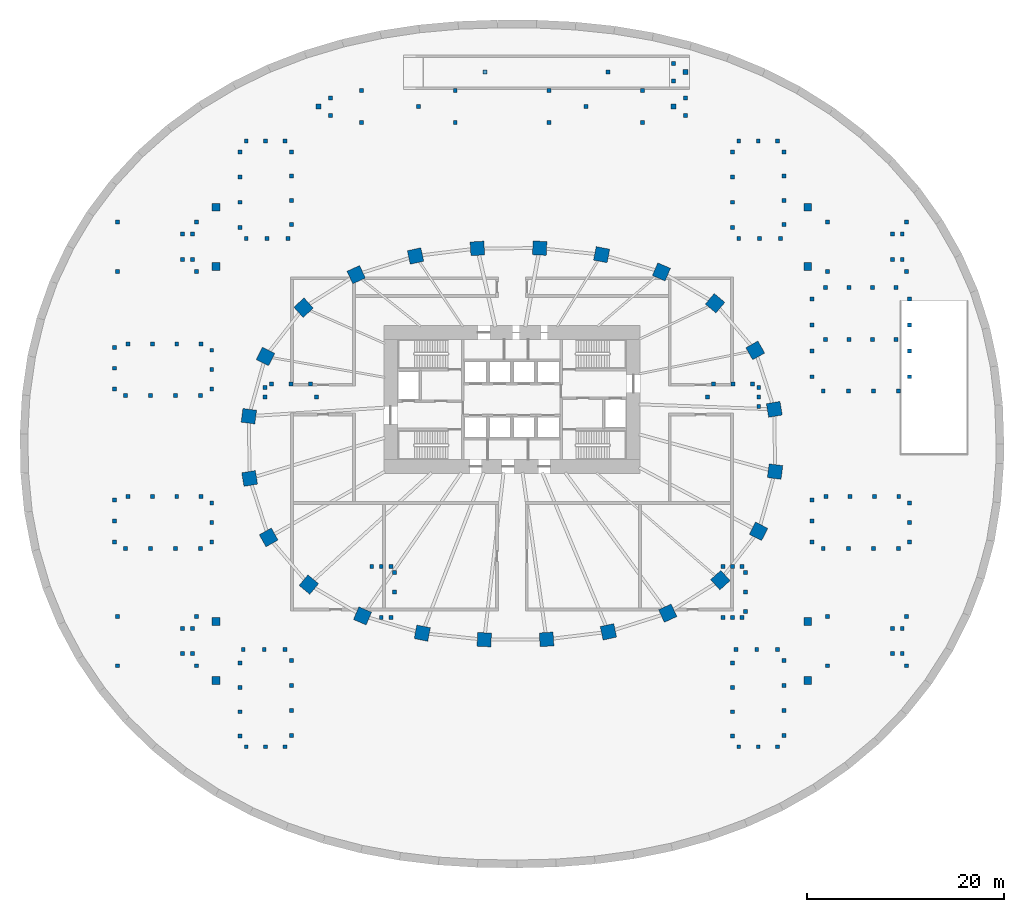
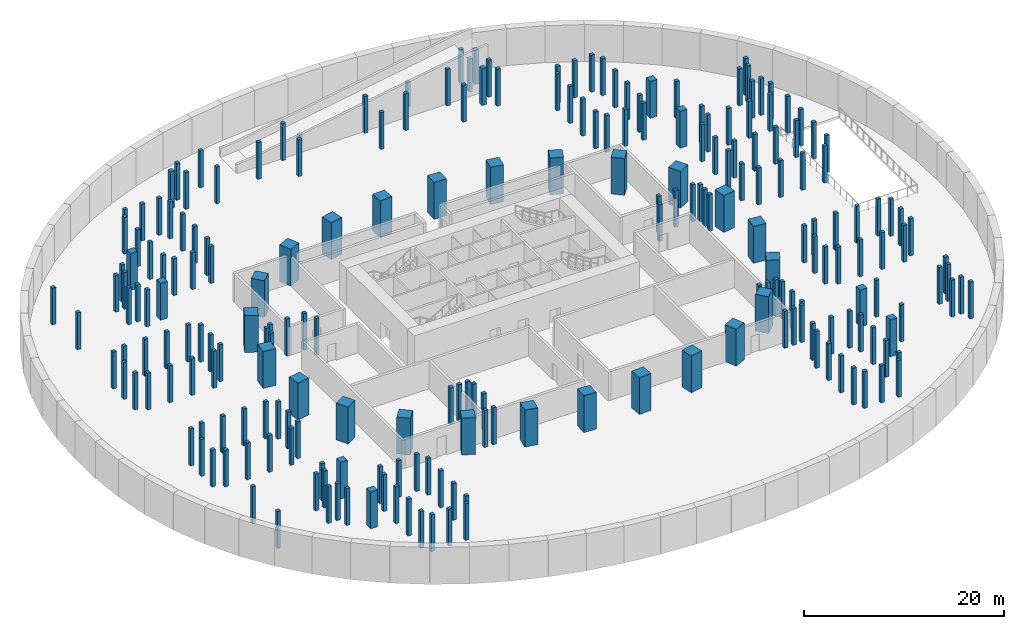
# One storey, part 1 of 9: 232 columns.
"""IFC4 building model written with IfcOpenShell, lengths in metres."""

from ifc_helpers import new_model, si_unit, direction, frame, origin, origin_2d, place, context, subcontext, project, spatial, rectangle, extrude, material, material_profile, profile_set, type_object, element, save


model = new_model("IFC4")

# Units and contexts
model_context = context("Model", 3, precision=1e-05, world=origin(), true_north=direction((0.0, 1.0)))
body_context = subcontext(model_context, "Body", "Model", "MODEL_VIEW")
ifc_project = project(units=[si_unit("LENGTHUNIT", "METRE"), si_unit("AREAUNIT", "SQUARE_METRE"), si_unit("VOLUMEUNIT", "CUBIC_METRE"), si_unit("PLANEANGLEUNIT", "RADIAN"), si_unit("MASSUNIT", "GRAM", prefix="KILO")], contexts=[model_context])

# Site, building, storey
site_placement = place(None, origin())
site = spatial("IfcSite", under=ifc_project, at=site_placement, CompositionType="ELEMENT")
building_placement = place(site_placement, origin())
building = spatial("IfcBuilding", under=site, at=building_placement, Name="Rubra Terraces Tower", CompositionType="ELEMENT")
storey_placement = place(building_placement, frame((0.0, 0.0, -10.5)))
storey = spatial("IfcBuildingStorey", under=building, at=storey_placement, Name="B2", CompositionType="ELEMENT", Elevation=-10.5)

# Columns
ifc_material_1 = material(Name="Concrete C50", Category="concrete")
ifc_material_profile_1 = material_profile(ifc_material_1, rectangle(XDim=0.800048828125, YDim=0.800048828125, at=origin_2d()), Name="RC 800x800")
ifc_profile_set_1 = profile_set([ifc_material_profile_1], Name="Concrete C50")
column_type_1 = type_object("IfcColumnType", Name="BASEMENT COLUMN RC 800x800 C50", PredefinedType="COLUMN", material=ifc_profile_set_1)
for number, where, z_axis, x_axis, name in (
    (1, (-30.0, -24.0, 0.0), (0.0, 0.0, 1.0), (1.0, 0.0, 0.0), "column-B2-grid-001"),
    (2, (-30.0, -18.0, 0.0), (0.0, 0.0, 1.0), (1.0, 0.0, 0.0), "column-B2-grid-002"),
    (3, (-30.0, 18.0, 0.0), (0.0, 0.0, 1.0), (1.0, 0.0, 0.0), "column-B2-grid-003"),
    (4, (-30.0, 24.0, 0.0), (0.0, 0.0, 1.0), (1.0, 0.0, 0.0), "column-B2-grid-004"),
    (5, (30.0, -24.0, 0.0), (0.0, 0.0, 1.0), (1.0, 0.0, 0.0), "column-B2-grid-005"),
    (6, (30.0, -18.0, 0.0), (0.0, 0.0, 1.0), (1.0, 0.0, 0.0), "column-B2-grid-006"),
    (7, (30.0, 18.0, 0.0), (0.0, 0.0, 1.0), (1.0, 0.0, 0.0), "column-B2-grid-007"),
    (8, (30.0, 24.0, 0.0), (0.0, 0.0, 1.0), (1.0, 0.0, 0.0), "column-B2-grid-008"),
):
    element("IfcColumn", number, at=place(storey_placement, frame(where, z_axis=z_axis, x_axis=x_axis)), inside=storey, type_object=column_type_1, Name=name, PredefinedType="COLUMN", context=body_context, shape_type="SweptSolid", body=[
        extrude(rectangle(XDim=0.800048828125, YDim=0.800048828125, at=origin_2d()), origin(), (0.0, 0.0, 1.0), 4.5),
    ])
ifc_material_2 = material(Name="Concrete C40/50", Category="concrete")
ifc_material_profile_2 = material_profile(ifc_material_2, rectangle(XDim=0.39990234375, YDim=0.39990234375, at=origin_2d()), Name="RC 400x400")
ifc_profile_set_2 = profile_set([ifc_material_profile_2], Name="Concrete C40/50")
column_type_2 = type_object("IfcColumnType", Name="Pavilion column RC 400 x 400", PredefinedType="COLUMN", material=ifc_profile_set_2)
for number, where, z_axis, x_axis, name in (
    (9, (32.0, 17.5, 0.0), (0.0, 0.0, 1.0), (1.0, 0.0, 0.0), "Pavilion SP1 column 1"),
    (10, (40.0, 17.5, 0.0), (0.0, 0.0, 1.0), (1.0, 0.0, 0.0), "Pavilion SP1 column 2"),
    (11, (40.0, 22.5, 0.0), (0.0, 0.0, 1.0), (1.0, 0.0, 0.0), "Pavilion SP1 column 3"),
    (12, (32.0, 22.5, 0.0), (0.0, 0.0, 1.0), (1.0, 0.0, 0.0), "Pavilion SP1 column 4"),
    (13, (38.580078125, 18.72509765625, 0.0), (0.0, 0.0, 1.0), (1.0, 0.0, 0.0), "Pavilion SP1 landing column 1"),
    (14, (39.580078125, 18.72509765625, 0.0), (0.0, 0.0, 1.0), (1.0, 0.0, 0.0), "Pavilion SP1 landing column 2"),
    (15, (39.580078125, 21.27490234375, 0.0), (0.0, 0.0, 1.0), (1.0, 0.0, 0.0), "Pavilion SP1 landing column 3"),
    (16, (38.580078125, 21.27490234375, 0.0), (0.0, 0.0, 1.0), (1.0, 0.0, 0.0), "Pavilion SP1 landing column 4"),
    (17, (-40.0, 17.5, 0.0), (0.0, 0.0, 1.0), (1.0, 0.0, 0.0), "Pavilion SP2 column 1"),
    (18, (-32.0, 17.5, 0.0), (0.0, 0.0, 1.0), (1.0, 0.0, 0.0), "Pavilion SP2 column 2"),
    (19, (-32.0, 22.5, 0.0), (0.0, 0.0, 1.0), (1.0, 0.0, 0.0), "Pavilion SP2 column 3"),
    (20, (-40.0, 22.5, 0.0), (0.0, 0.0, 1.0), (1.0, 0.0, 0.0), "Pavilion SP2 column 4"),
    (21, (-33.419921875, 18.72509765625, 0.0), (0.0, 0.0, 1.0), (1.0, 0.0, 0.0), "Pavilion SP2 landing column 1"),
    (22, (-32.419921875, 18.72509765625, 0.0), (0.0, 0.0, 1.0), (1.0, 0.0, 0.0), "Pavilion SP2 landing column 2"),
    (23, (-32.419921875, 21.27490234375, 0.0), (0.0, 0.0, 1.0), (1.0, 0.0, 0.0), "Pavilion SP2 landing column 3"),
    (24, (-33.419921875, 21.27490234375, 0.0), (0.0, 0.0, 1.0), (1.0, 0.0, 0.0), "Pavilion SP2 landing column 4"),
    (25, (-40.0, -22.5, 0.0), (0.0, 0.0, 1.0), (1.0, 0.0, 0.0), "Pavilion SP3 column 1"),
    (26, (-32.0, -22.5, 0.0), (0.0, 0.0, 1.0), (1.0, 0.0, 0.0), "Pavilion SP3 column 2"),
    (27, (-32.0, -17.5, 0.0), (0.0, 0.0, 1.0), (1.0, 0.0, 0.0), "Pavilion SP3 column 3"),
    (28, (-40.0, -17.5, 0.0), (0.0, 0.0, 1.0), (1.0, 0.0, 0.0), "Pavilion SP3 column 4"),
    (29, (-33.419921875, -21.27490234375, 0.0), (0.0, 0.0, 1.0), (1.0, 0.0, 0.0), "Pavilion SP3 landing column 1"),
    (30, (-32.419921875, -21.27490234375, 0.0), (0.0, 0.0, 1.0), (1.0, 0.0, 0.0), "Pavilion SP3 landing column 2"),
    (31, (-32.419921875, -18.72509765625, 0.0), (0.0, 0.0, 1.0), (1.0, 0.0, 0.0), "Pavilion SP3 landing column 3"),
    (32, (-33.419921875, -18.72509765625, 0.0), (0.0, 0.0, 1.0), (1.0, 0.0, 0.0), "Pavilion SP3 landing column 4"),
    (33, (32.0, -22.5, 0.0), (0.0, 0.0, 1.0), (1.0, 0.0, 0.0), "Pavilion SP4 column 1"),
    (34, (40.0, -22.5, 0.0), (0.0, 0.0, 1.0), (1.0, 0.0, 0.0), "Pavilion SP4 column 2"),
    (35, (40.0, -17.5, 0.0), (0.0, 0.0, 1.0), (1.0, 0.0, 0.0), "Pavilion SP4 column 3"),
    (36, (32.0, -17.5, 0.0), (0.0, 0.0, 1.0), (1.0, 0.0, 0.0), "Pavilion SP4 column 4"),
    (37, (38.580078125, -21.27490234375, 0.0), (0.0, 0.0, 1.0), (1.0, 0.0, 0.0), "Pavilion SP4 landing column 1"),
    (38, (39.580078125, -21.27490234375, 0.0), (0.0, 0.0, 1.0), (1.0, 0.0, 0.0), "Pavilion SP4 landing column 2"),
    (39, (39.580078125, -18.72509765625, 0.0), (0.0, 0.0, 1.0), (1.0, 0.0, 0.0), "Pavilion SP4 landing column 3"),
    (40, (38.580078125, -18.72509765625, 0.0), (0.0, 0.0, 1.0), (1.0, 0.0, 0.0), "Pavilion SP4 landing column 4"),
):
    element("IfcColumn", number, at=place(storey_placement, frame(where, z_axis=z_axis, x_axis=x_axis)), inside=storey, type_object=column_type_2, Name=name, PredefinedType="COLUMN", context=body_context, shape_type="SweptSolid", body=[
        extrude(rectangle(XDim=0.39990234375, YDim=0.39990234375, at=origin_2d()), origin(), (0.0, 0.0, 1.0), 4.5),
    ])
ifc_material_3 = material(Name="Concrete C60", Category="concrete")
ifc_material_profile_3 = material_profile(ifc_material_3, rectangle(XDim=1.39990234375, YDim=1.39990234375, at=origin_2d()), Name="RC 1400x1400")
ifc_profile_set_3 = profile_set([ifc_material_profile_3], Name="Concrete C60")
column_type_3 = type_object("IfcColumnType", Name="RING COLUMN RC 1400x1400 C60", PredefinedType="COLUMN", material=ifc_profile_set_3)
for number, where, z_axis, x_axis, name in (
    (41, (26.60498046875, 3.5029296875, 0.0), (0.0, 0.0, 1.0), (-0.161234051287, 0.986916197408, 0.0), "column-B2-ring-01"),
    (42, (24.676025390625, 9.48291015625, 0.0), (0.0, 0.0, 1.0), (-0.487226597714, 0.873275582208, 0.0), "column-B2-ring-02"),
    (43, (20.60009765625, 14.26611328125, 0.0), (0.0, 0.0, 1.0), (-0.767209547574, 0.641396531104, 0.0), "column-B2-ring-03"),
    (44, (15.156982421875, 17.44091796875, 0.0), (0.0, 0.0, 1.0), (-0.919293738002, 0.393572132232, 0.0), "column-B2-ring-04"),
    (45, (9.093994140625, 19.19189453125, 0.0), (0.0, 0.0, 1.0), (-0.981430410798, 0.191818530806, 0.0), "column-B2-ring-05"),
    (46, (2.81103515625, 19.85400390625, 0.0), (0.0, 0.0, 1.0), (-0.99874501614, 0.050083857035, 0.0), "column-B2-ring-06"),
    (47, (-3.509033203125, 19.823974609375, 0.0), (0.0, 0.0, 1.0), (-0.9980076013, -0.063093801177, 0.0), "column-B2-ring-07"),
    (48, (-9.780029296875, 19.05810546875, 0.0), (0.0, 0.0, 1.0), (-0.977386186482, -0.211462153764, 0.0), "column-B2-ring-08"),
    (49, (-15.799072265625, 17.1650390625, 0.0), (0.0, 0.0, 1.0), (-0.907952363445, -0.419073389413, 0.0), "column-B2-ring-09"),
    (50, (-21.135009765625, 13.81689453125, 0.0), (0.0, 0.0, 1.0), (-0.742675944539, -0.66965098477, 0.0), "column-B2-ring-10"),
    (51, (-25.0029296875, 8.865966796875, 0.0), (0.0, 0.0, 1.0), (-0.450098906028, -0.892978709036, 0.0), "column-B2-ring-11"),
    (52, (-26.68408203125, 2.80810546875, 0.0), (0.0, 0.0, 1.0), (-0.128444510405, -0.991716697322, 0.0), "column-B2-ring-12"),
    (53, (-26.60498046875, -3.5029296875, 0.0), (0.0, 0.0, 1.0), (0.161234051287, -0.986916197408, 0.0), "column-B2-ring-13"),
    (54, (-24.676025390625, -9.48291015625, 0.0), (0.0, 0.0, 1.0), (0.487226597714, -0.873275582208, 0.0), "column-B2-ring-14"),
    (55, (-20.60009765625, -14.26611328125, 0.0), (0.0, 0.0, 1.0), (0.767209547574, -0.641396531104, 0.0), "column-B2-ring-15"),
    (56, (-15.156982421875, -17.44091796875, 0.0), (0.0, 0.0, 1.0), (0.919293738002, -0.393572132232, 0.0), "column-B2-ring-16"),
    (57, (-9.093994140625, -19.19189453125, 0.0), (0.0, 0.0, 1.0), (0.981430410798, -0.191818530806, 0.0), "column-B2-ring-17"),
    (58, (-2.81103515625, -19.85400390625, 0.0), (0.0, 0.0, 1.0), (0.99874501614, -0.050083857035, 0.0), "column-B2-ring-18"),
    (59, (3.509033203125, -19.823974609375, 0.0), (0.0, 0.0, 1.0), (0.9980076013, 0.063093801177, 0.0), "column-B2-ring-19"),
    (60, (9.780029296875, -19.05810546875, 0.0), (0.0, 0.0, 1.0), (0.977386186482, 0.211462153764, 0.0), "column-B2-ring-20"),
    (61, (15.799072265625, -17.1650390625, 0.0), (0.0, 0.0, 1.0), (0.907952363445, 0.419073389413, 0.0), "column-B2-ring-21"),
    (62, (21.135009765625, -13.81689453125, 0.0), (0.0, 0.0, 1.0), (0.742675944539, 0.66965098477, 0.0), "column-B2-ring-22"),
    (63, (25.0029296875, -8.865966796875, 0.0), (0.0, 0.0, 1.0), (0.450098906028, 0.892978709036, 0.0), "column-B2-ring-23"),
    (64, (26.68408203125, -2.80810546875, 0.0), (0.0, 0.0, 1.0), (0.128444510405, 0.991716697322, 0.0), "column-B2-ring-24"),
):
    element("IfcColumn", number, at=place(storey_placement, frame(where, z_axis=z_axis, x_axis=x_axis)), inside=storey, type_object=column_type_3, Name=name, PredefinedType="COLUMN", context=body_context, shape_type="SweptSolid", body=[
        extrude(rectangle(XDim=1.39990234375, YDim=1.39990234375, at=origin_2d()), origin(), (0.0, 0.0, 1.0), 4.5),
    ])
ifc_material_profile_4 = material_profile(ifc_material_1, rectangle(XDim=0.39990234375, YDim=0.39990234375, at=origin_2d()), Name="RC 400x400")
ifc_profile_set_4 = profile_set([ifc_material_profile_4], Name="Concrete C50")
column_type_4 = type_object("IfcColumnType", Name="STAIR SUPPORT COLUMN RC 400x400 C50", PredefinedType="COLUMN", material=ifc_profile_set_4)
for number, where, z_axis, x_axis, name in (
    (65, (-20.449951171875, 6.0849609375, 0.0), (0.0, 0.0, 1.0), (1.0, 0.0, 0.0), "column-B2-ps-support-01"),
    (66, (-24.39990234375, 6.0849609375, 0.0), (0.0, 0.0, 1.0), (1.0, 0.0, 0.0), "column-B2-ps-support-02"),
    (67, (-22.425048828125, 6.0849609375, 0.0), (0.0, 0.0, 1.0), (1.0, 0.0, 0.0), "column-B2-ps-support-03"),
    (68, (-25.02490234375, 5.7099609375, 0.0), (0.0, 0.0, 1.0), (1.0, 0.0, 0.0), "column-B2-ps-support-04"),
    (69, (-25.02490234375, 4.7451171875, 0.0), (0.0, 0.0, 1.0), (1.0, 0.0, 0.0), "column-B2-ps-support-05"),
    (70, (-19.824951171875, 4.7451171875, 0.0), (0.0, 0.0, 1.0), (1.0, 0.0, 0.0), "column-B2-ps-support-06"),
    (71, (24.39990234375, 6.0849609375, 0.0), (0.0, 0.0, 1.0), (1.0, 0.0, 0.0), "column-B2-ps-support-07"),
    (72, (20.449951171875, 6.0849609375, 0.0), (0.0, 0.0, 1.0), (1.0, 0.0, 0.0), "column-B2-ps-support-08"),
    (73, (22.425048828125, 6.0849609375, 0.0), (0.0, 0.0, 1.0), (1.0, 0.0, 0.0), "column-B2-ps-support-09"),
    (74, (19.824951171875, 4.7451171875, 0.0), (0.0, 0.0, 1.0), (1.0, 0.0, 0.0), "column-B2-ps-support-10"),
    (75, (25.02490234375, 3.780029296875, 0.0), (0.0, 0.0, 1.0), (1.0, 0.0, 0.0), "column-B2-ps-support-11"),
    (76, (25.02490234375, 5.7099609375, 0.0), (0.0, 0.0, 1.0), (1.0, 0.0, 0.0), "column-B2-ps-support-12"),
    (77, (25.02490234375, 4.7451171875, 0.0), (0.0, 0.0, 1.0), (1.0, 0.0, 0.0), "column-B2-ps-support-13"),
    (78, (-11.9150390625, -13.050048828125, 0.0), (0.0, 0.0, 1.0), (1.0, 0.0, 0.0), "column-B2-ps-support-14"),
    (79, (-11.9150390625, -15.02490234375, 0.0), (0.0, 0.0, 1.0), (1.0, 0.0, 0.0), "column-B2-ps-support-15"),
    (80, (-12.2900390625, -17.625, 0.0), (0.0, 0.0, 1.0), (1.0, 0.0, 0.0), "column-B2-ps-support-16"),
    (81, (-13.2548828125, -17.625, 0.0), (0.0, 0.0, 1.0), (1.0, 0.0, 0.0), "column-B2-ps-support-17"),
    (82, (-14.219970703125, -12.425048828125, 0.0), (0.0, 0.0, 1.0), (1.0, 0.0, 0.0), "column-B2-ps-support-18"),
    (83, (-12.2900390625, -12.425048828125, 0.0), (0.0, 0.0, 1.0), (1.0, 0.0, 0.0), "column-B2-ps-support-19"),
    (84, (-13.2548828125, -12.425048828125, 0.0), (0.0, 0.0, 1.0), (1.0, 0.0, 0.0), "column-B2-ps-support-20"),
    (85, (23.68505859375, -17.0, 0.0), (0.0, 0.0, 1.0), (1.0, 0.0, 0.0), "column-B2-ps-support-21"),
    (86, (23.68505859375, -13.050048828125, 0.0), (0.0, 0.0, 1.0), (1.0, 0.0, 0.0), "column-B2-ps-support-22"),
    (87, (23.68505859375, -15.02490234375, 0.0), (0.0, 0.0, 1.0), (1.0, 0.0, 0.0), "column-B2-ps-support-23"),
    (88, (21.3798828125, -17.625, 0.0), (0.0, 0.0, 1.0), (1.0, 0.0, 0.0), "column-B2-ps-support-24"),
    (89, (23.31005859375, -17.625, 0.0), (0.0, 0.0, 1.0), (1.0, 0.0, 0.0), "column-B2-ps-support-25"),
    (90, (22.344970703125, -17.625, 0.0), (0.0, 0.0, 1.0), (1.0, 0.0, 0.0), "column-B2-ps-support-26"),
    (91, (21.3798828125, -12.425048828125, 0.0), (0.0, 0.0, 1.0), (1.0, 0.0, 0.0), "column-B2-ps-support-27"),
    (92, (23.31005859375, -12.425048828125, 0.0), (0.0, 0.0, 1.0), (1.0, 0.0, 0.0), "column-B2-ps-support-28"),
    (93, (22.344970703125, -12.425048828125, 0.0), (0.0, 0.0, 1.0), (1.0, 0.0, 0.0), "column-B2-ps-support-29"),
    (94, (13.25, 35.824951171875, 0.0), (0.0, 0.0, 1.0), (1.0, 0.0, 0.0), "column-B2-rp3w-support-01"),
    (95, (3.75, 35.824951171875, 0.0), (0.0, 0.0, 1.0), (1.0, 0.0, 0.0), "column-B2-rp3w-support-02"),
    (96, (-5.75, 35.824951171875, 0.0), (0.0, 0.0, 1.0), (1.0, 0.0, 0.0), "column-B2-rp3w-support-03"),
    (97, (-15.25, 35.824951171875, 0.0), (0.0, 0.0, 1.0), (1.0, 0.0, 0.0), "column-B2-rp3w-support-04"),
    (98, (13.25, 32.574951171875, 0.0), (0.0, 0.0, 1.0), (1.0, 0.0, 0.0), "column-B2-rp3w-support-05"),
    (99, (3.75, 32.574951171875, 0.0), (0.0, 0.0, 1.0), (1.0, 0.0, 0.0), "column-B2-rp3w-support-06"),
    (100, (-5.75, 32.574951171875, 0.0), (0.0, 0.0, 1.0), (1.0, 0.0, 0.0), "column-B2-rp3w-support-07"),
    (101, (-15.25, 32.574951171875, 0.0), (0.0, 0.0, 1.0), (1.0, 0.0, 0.0), "column-B2-rp3w-support-08"),
    (102, (17.60009765625, 35.10009765625, 0.0), (0.0, 0.0, 1.0), (1.0, 0.0, 0.0), "column-B2-rp3-support-01"),
    (103, (17.60009765625, 33.300048828125, 0.0), (0.0, 0.0, 1.0), (1.0, 0.0, 0.0), "column-B2-rp3-support-02"),
    (104, (7.5, 34.199951171875, 0.0), (0.0, 0.0, 1.0), (1.0, 0.0, 0.0), "column-B2-rp3-support-04"),
    (105, (-9.5, 34.199951171875, 0.0), (0.0, 0.0, 1.0), (1.0, 0.0, 0.0), "column-B2-rp3-support-05"),
    (106, (-18.39990234375, 35.10009765625, 0.0), (0.0, 0.0, 1.0), (1.0, 0.0, 0.0), "column-B2-rp3-support-06"),
    (107, (-18.39990234375, 33.300048828125, 0.0), (0.0, 0.0, 1.0), (1.0, 0.0, 0.0), "column-B2-rp3-support-07"),
    (108, (27.60009765625, -29.590087890625, 0.0), (0.0, 0.0, 1.0), (1.0, 0.0, 0.0), "column-B2-se-support-01"),
    (109, (27.60009765625, -27.050048828125, 0.0), (0.0, 0.0, 1.0), (1.0, 0.0, 0.0), "column-B2-se-support-02"),
    (110, (27.60009765625, -24.510009765625, 0.0), (0.0, 0.0, 1.0), (1.0, 0.0, 0.0), "column-B2-se-support-03"),
    (111, (27.60009765625, -21.969970703125, 0.0), (0.0, 0.0, 1.0), (1.0, 0.0, 0.0), "column-B2-se-support-04"),
    (112, (26.949951171875, -20.85009765625, 0.0), (0.0, 0.0, 1.0), (1.0, 0.0, 0.0), "column-B2-se-support-05"),
    (113, (22.699951171875, -20.85009765625, 0.0), (0.0, 0.0, 1.0), (1.0, 0.0, 0.0), "column-B2-se-support-06"),
    (114, (24.824951171875, -20.85009765625, 0.0), (0.0, 0.0, 1.0), (1.0, 0.0, 0.0), "column-B2-se-support-07"),
    (115, (22.35009765625, -22.23291015625, 0.0), (0.0, 0.0, 1.0), (1.0, 0.0, 0.0), "column-B2-se-support-08"),
    (116, (22.35009765625, -24.697021484375, 0.0), (0.0, 0.0, 1.0), (1.0, 0.0, 0.0), "column-B2-se-support-09"),
    (117, (22.35009765625, -27.1630859375, 0.0), (0.0, 0.0, 1.0), (1.0, 0.0, 0.0), "column-B2-se-support-10"),
    (118, (22.35009765625, -29.626953125, 0.0), (0.0, 0.0, 1.0), (1.0, 0.0, 0.0), "column-B2-se-support-11"),
    (119, (-22.35009765625, -29.590087890625, 0.0), (0.0, 0.0, 1.0), (1.0, 0.0, 0.0), "column-B2-se-support-12"),
    (120, (-22.35009765625, -27.050048828125, 0.0), (0.0, 0.0, 1.0), (1.0, 0.0, 0.0), "column-B2-se-support-13"),
    (121, (-22.35009765625, -24.510009765625, 0.0), (0.0, 0.0, 1.0), (1.0, 0.0, 0.0), "column-B2-se-support-14"),
    (122, (-22.35009765625, -21.969970703125, 0.0), (0.0, 0.0, 1.0), (1.0, 0.0, 0.0), "column-B2-se-support-15"),
    (123, (-23.0, -20.85009765625, 0.0), (0.0, 0.0, 1.0), (1.0, 0.0, 0.0), "column-B2-se-support-16"),
    (124, (-27.25, -20.85009765625, 0.0), (0.0, 0.0, 1.0), (1.0, 0.0, 0.0), "column-B2-se-support-17"),
    (125, (-25.125, -20.85009765625, 0.0), (0.0, 0.0, 1.0), (1.0, 0.0, 0.0), "column-B2-se-support-18"),
    (126, (-27.60009765625, -22.23291015625, 0.0), (0.0, 0.0, 1.0), (1.0, 0.0, 0.0), "column-B2-se-support-19"),
    (127, (-27.60009765625, -24.697021484375, 0.0), (0.0, 0.0, 1.0), (1.0, 0.0, 0.0), "column-B2-se-support-20"),
    (128, (-27.60009765625, -27.1630859375, 0.0), (0.0, 0.0, 1.0), (1.0, 0.0, 0.0), "column-B2-se-support-21"),
    (129, (-27.60009765625, -29.626953125, 0.0), (0.0, 0.0, 1.0), (1.0, 0.0, 0.0), "column-B2-se-support-22"),
    (130, (-27.60009765625, 29.590087890625, 0.0), (0.0, 0.0, 1.0), (1.0, 0.0, 0.0), "column-B2-se-support-23"),
    (131, (-27.60009765625, 27.050048828125, 0.0), (0.0, 0.0, 1.0), (1.0, 0.0, 0.0), "column-B2-se-support-24"),
    (132, (-27.60009765625, 24.510009765625, 0.0), (0.0, 0.0, 1.0), (1.0, 0.0, 0.0), "column-B2-se-support-25"),
    (133, (-27.60009765625, 21.969970703125, 0.0), (0.0, 0.0, 1.0), (1.0, 0.0, 0.0), "column-B2-se-support-26"),
    (134, (-26.949951171875, 20.85009765625, 0.0), (0.0, 0.0, 1.0), (1.0, 0.0, 0.0), "column-B2-se-support-27"),
    (135, (-22.699951171875, 20.85009765625, 0.0), (0.0, 0.0, 1.0), (1.0, 0.0, 0.0), "column-B2-se-support-28"),
    (136, (-24.824951171875, 20.85009765625, 0.0), (0.0, 0.0, 1.0), (1.0, 0.0, 0.0), "column-B2-se-support-29"),
    (137, (-22.35009765625, 22.23291015625, 0.0), (0.0, 0.0, 1.0), (1.0, 0.0, 0.0), "column-B2-se-support-30"),
    (138, (-22.35009765625, 24.697021484375, 0.0), (0.0, 0.0, 1.0), (1.0, 0.0, 0.0), "column-B2-se-support-31"),
    (139, (-22.35009765625, 27.1630859375, 0.0), (0.0, 0.0, 1.0), (1.0, 0.0, 0.0), "column-B2-se-support-32"),
    (140, (-22.35009765625, 29.626953125, 0.0), (0.0, 0.0, 1.0), (1.0, 0.0, 0.0), "column-B2-se-support-33"),
    (141, (22.35009765625, 29.590087890625, 0.0), (0.0, 0.0, 1.0), (1.0, 0.0, 0.0), "column-B2-se-support-34"),
    (142, (22.35009765625, 27.050048828125, 0.0), (0.0, 0.0, 1.0), (1.0, 0.0, 0.0), "column-B2-se-support-35"),
    (143, (22.35009765625, 24.510009765625, 0.0), (0.0, 0.0, 1.0), (1.0, 0.0, 0.0), "column-B2-se-support-36"),
    (144, (22.35009765625, 21.969970703125, 0.0), (0.0, 0.0, 1.0), (1.0, 0.0, 0.0), "column-B2-se-support-37"),
    (145, (23.0, 20.85009765625, 0.0), (0.0, 0.0, 1.0), (1.0, 0.0, 0.0), "column-B2-se-support-38"),
    (146, (27.25, 20.85009765625, 0.0), (0.0, 0.0, 1.0), (1.0, 0.0, 0.0), "column-B2-se-support-39"),
    (147, (25.125, 20.85009765625, 0.0), (0.0, 0.0, 1.0), (1.0, 0.0, 0.0), "column-B2-se-support-40"),
    (148, (27.60009765625, 22.23291015625, 0.0), (0.0, 0.0, 1.0), (1.0, 0.0, 0.0), "column-B2-se-support-41"),
    (149, (27.60009765625, 24.697021484375, 0.0), (0.0, 0.0, 1.0), (1.0, 0.0, 0.0), "column-B2-se-support-42"),
    (150, (27.60009765625, 27.1630859375, 0.0), (0.0, 0.0, 1.0), (1.0, 0.0, 0.0), "column-B2-se-support-43"),
    (151, (27.60009765625, 29.626953125, 0.0), (0.0, 0.0, 1.0), (1.0, 0.0, 0.0), "column-B2-se-support-44"),
    (152, (39.18994140625, 5.35009765625, 0.0), (0.0, 0.0, 1.0), (1.0, 0.0, 0.0), "column-B2-se-support-45"),
    (153, (36.64990234375, 5.35009765625, 0.0), (0.0, 0.0, 1.0), (1.0, 0.0, 0.0), "column-B2-se-support-46"),
    (154, (34.110107421875, 5.35009765625, 0.0), (0.0, 0.0, 1.0), (1.0, 0.0, 0.0), "column-B2-se-support-47"),
    (155, (31.570068359375, 5.35009765625, 0.0), (0.0, 0.0, 1.0), (1.0, 0.0, 0.0), "column-B2-se-support-48"),
    (156, (30.449951171875, 6.81201171875, 0.0), (0.0, 0.0, 1.0), (1.0, 0.0, 0.0), "column-B2-se-support-49"),
    (157, (30.449951171875, 9.43798828125, 0.0), (0.0, 0.0, 1.0), (1.0, 0.0, 0.0), "column-B2-se-support-50"),
    (158, (30.449951171875, 12.06201171875, 0.0), (0.0, 0.0, 1.0), (1.0, 0.0, 0.0), "column-B2-se-support-51"),
    (159, (30.449951171875, 14.68798828125, 0.0), (0.0, 0.0, 1.0), (1.0, 0.0, 0.0), "column-B2-se-support-52"),
    (160, (31.794921875, 10.60009765625, 0.0), (0.0, 0.0, 1.0), (1.0, 0.0, 0.0), "column-B2-se-support-53"),
    (161, (34.18505859375, 10.60009765625, 0.0), (0.0, 0.0, 1.0), (1.0, 0.0, 0.0), "column-B2-se-support-54"),
    (162, (36.574951171875, 10.60009765625, 0.0), (0.0, 0.0, 1.0), (1.0, 0.0, 0.0), "column-B2-se-support-55"),
    (163, (38.965087890625, 10.60009765625, 0.0), (0.0, 0.0, 1.0), (1.0, 0.0, 0.0), "column-B2-se-support-56"),
    (164, (40.31005859375, 14.68798828125, 0.0), (0.0, 0.0, 1.0), (1.0, 0.0, 0.0), "column-B2-se-support-57"),
    (165, (40.31005859375, 12.06201171875, 0.0), (0.0, 0.0, 1.0), (1.0, 0.0, 0.0), "column-B2-se-support-58"),
    (166, (40.31005859375, 9.43798828125, 0.0), (0.0, 0.0, 1.0), (1.0, 0.0, 0.0), "column-B2-se-support-59"),
    (167, (40.31005859375, 6.81201171875, 0.0), (0.0, 0.0, 1.0), (1.0, 0.0, 0.0), "column-B2-se-support-60"),
    (168, (39.18994140625, -10.60009765625, 0.0), (0.0, 0.0, 1.0), (1.0, 0.0, 0.0), "column-B2-se-support-61"),
    (169, (36.64990234375, -10.60009765625, 0.0), (0.0, 0.0, 1.0), (1.0, 0.0, 0.0), "column-B2-se-support-62"),
    (170, (34.110107421875, -10.60009765625, 0.0), (0.0, 0.0, 1.0), (1.0, 0.0, 0.0), "column-B2-se-support-63"),
    (171, (31.570068359375, -10.60009765625, 0.0), (0.0, 0.0, 1.0), (1.0, 0.0, 0.0), "column-B2-se-support-64"),
    (172, (30.449951171875, -9.949951171875, 0.0), (0.0, 0.0, 1.0), (1.0, 0.0, 0.0), "column-B2-se-support-65"),
    (173, (30.449951171875, -5.699951171875, 0.0), (0.0, 0.0, 1.0), (1.0, 0.0, 0.0), "column-B2-se-support-66"),
    (174, (30.449951171875, -7.824951171875, 0.0), (0.0, 0.0, 1.0), (1.0, 0.0, 0.0), "column-B2-se-support-67"),
    (175, (31.8330078125, -5.35009765625, 0.0), (0.0, 0.0, 1.0), (1.0, 0.0, 0.0), "column-B2-se-support-68"),
    (176, (34.297119140625, -5.35009765625, 0.0), (0.0, 0.0, 1.0), (1.0, 0.0, 0.0), "column-B2-se-support-69"),
    (177, (36.762939453125, -5.35009765625, 0.0), (0.0, 0.0, 1.0), (1.0, 0.0, 0.0), "column-B2-se-support-70"),
    (178, (39.22705078125, -5.35009765625, 0.0), (0.0, 0.0, 1.0), (1.0, 0.0, 0.0), "column-B2-se-support-71"),
    (179, (40.31005859375, -6.0, 0.0), (0.0, 0.0, 1.0), (1.0, 0.0, 0.0), "column-B2-se-support-72"),
    (180, (40.31005859375, -9.949951171875, 0.0), (0.0, 0.0, 1.0), (1.0, 0.0, 0.0), "column-B2-se-support-73"),
    (181, (40.31005859375, -7.97509765625, 0.0), (0.0, 0.0, 1.0), (1.0, 0.0, 0.0), "column-B2-se-support-74"),
    (182, (-31.570068359375, 4.89990234375, 0.0), (0.0, 0.0, 1.0), (1.0, 0.0, 0.0), "column-B2-se-support-75"),
    (183, (-34.110107421875, 4.89990234375, 0.0), (0.0, 0.0, 1.0), (1.0, 0.0, 0.0), "column-B2-se-support-76"),
    (184, (-36.64990234375, 4.89990234375, 0.0), (0.0, 0.0, 1.0), (1.0, 0.0, 0.0), "column-B2-se-support-77"),
    (185, (-39.18994140625, 4.89990234375, 0.0), (0.0, 0.0, 1.0), (1.0, 0.0, 0.0), "column-B2-se-support-78"),
    (186, (-40.31005859375, 5.550048828125, 0.0), (0.0, 0.0, 1.0), (1.0, 0.0, 0.0), "column-B2-se-support-79"),
    (187, (-40.31005859375, 9.800048828125, 0.0), (0.0, 0.0, 1.0), (1.0, 0.0, 0.0), "column-B2-se-support-80"),
    (188, (-40.31005859375, 7.675048828125, 0.0), (0.0, 0.0, 1.0), (1.0, 0.0, 0.0), "column-B2-se-support-81"),
    (189, (-38.927001953125, 10.14990234375, 0.0), (0.0, 0.0, 1.0), (1.0, 0.0, 0.0), "column-B2-se-support-82"),
    (190, (-36.4619140625, 10.14990234375, 0.0), (0.0, 0.0, 1.0), (1.0, 0.0, 0.0), "column-B2-se-support-83"),
    (191, (-33.998046875, 10.14990234375, 0.0), (0.0, 0.0, 1.0), (1.0, 0.0, 0.0), "column-B2-se-support-84"),
    (192, (-31.531982421875, 10.14990234375, 0.0), (0.0, 0.0, 1.0), (1.0, 0.0, 0.0), "column-B2-se-support-85"),
    (193, (-30.449951171875, 9.5, 0.0), (0.0, 0.0, 1.0), (1.0, 0.0, 0.0), "column-B2-se-support-86"),
    (194, (-30.449951171875, 5.550048828125, 0.0), (0.0, 0.0, 1.0), (1.0, 0.0, 0.0), "column-B2-se-support-87"),
    (195, (-30.449951171875, 7.52490234375, 0.0), (0.0, 0.0, 1.0), (1.0, 0.0, 0.0), "column-B2-se-support-88"),
    (196, (-31.570068359375, -10.60009765625, 0.0), (0.0, 0.0, 1.0), (1.0, 0.0, 0.0), "column-B2-se-support-89"),
    (197, (-34.110107421875, -10.60009765625, 0.0), (0.0, 0.0, 1.0), (1.0, 0.0, 0.0), "column-B2-se-support-90"),
    (198, (-36.64990234375, -10.60009765625, 0.0), (0.0, 0.0, 1.0), (1.0, 0.0, 0.0), "column-B2-se-support-91"),
    (199, (-39.18994140625, -10.60009765625, 0.0), (0.0, 0.0, 1.0), (1.0, 0.0, 0.0), "column-B2-se-support-92"),
    (200, (-40.31005859375, -9.949951171875, 0.0), (0.0, 0.0, 1.0), (1.0, 0.0, 0.0), "column-B2-se-support-93"),
    (201, (-40.31005859375, -5.699951171875, 0.0), (0.0, 0.0, 1.0), (1.0, 0.0, 0.0), "column-B2-se-support-94"),
    (202, (-40.31005859375, -7.824951171875, 0.0), (0.0, 0.0, 1.0), (1.0, 0.0, 0.0), "column-B2-se-support-95"),
    (203, (-38.927001953125, -5.35009765625, 0.0), (0.0, 0.0, 1.0), (1.0, 0.0, 0.0), "column-B2-se-support-96"),
    (204, (-36.4619140625, -5.35009765625, 0.0), (0.0, 0.0, 1.0), (1.0, 0.0, 0.0), "column-B2-se-support-97"),
    (205, (-33.998046875, -5.35009765625, 0.0), (0.0, 0.0, 1.0), (1.0, 0.0, 0.0), "column-B2-se-support-98"),
    (206, (-31.531982421875, -5.35009765625, 0.0), (0.0, 0.0, 1.0), (1.0, 0.0, 0.0), "column-B2-se-support-99"),
    (207, (-30.449951171875, -6.0, 0.0), (0.0, 0.0, 1.0), (1.0, 0.0, 0.0), "column-B2-se-support-100"),
    (208, (-30.449951171875, -9.949951171875, 0.0), (0.0, 0.0, 1.0), (1.0, 0.0, 0.0), "column-B2-se-support-101"),
    (209, (-30.449951171875, -7.97509765625, 0.0), (0.0, 0.0, 1.0), (1.0, 0.0, 0.0), "column-B2-se-support-102"),
    (210, (-26.949951171875, 30.7099609375, 0.0), (0.0, 0.0, 1.0), (1.0, 0.0, 0.0), "column-B2-se-support-103"),
    (211, (-23.0, 30.7099609375, 0.0), (0.0, 0.0, 1.0), (1.0, 0.0, 0.0), "column-B2-se-support-104"),
    (212, (-24.97509765625, 30.7099609375, 0.0), (0.0, 0.0, 1.0), (1.0, 0.0, 0.0), "column-B2-se-support-105"),
    (213, (23.0, 30.7099609375, 0.0), (0.0, 0.0, 1.0), (1.0, 0.0, 0.0), "column-B2-se-support-106"),
    (214, (26.949951171875, 30.7099609375, 0.0), (0.0, 0.0, 1.0), (1.0, 0.0, 0.0), "column-B2-se-support-107"),
    (215, (24.97509765625, 30.7099609375, 0.0), (0.0, 0.0, 1.0), (1.0, 0.0, 0.0), "column-B2-se-support-108"),
    (216, (26.949951171875, -30.7099609375, 0.0), (0.0, 0.0, 1.0), (1.0, 0.0, 0.0), "column-B2-se-support-109"),
    (217, (23.0, -30.7099609375, 0.0), (0.0, 0.0, 1.0), (1.0, 0.0, 0.0), "column-B2-se-support-110"),
    (218, (24.97509765625, -30.7099609375, 0.0), (0.0, 0.0, 1.0), (1.0, 0.0, 0.0), "column-B2-se-support-111"),
    (219, (-23.0, -30.7099609375, 0.0), (0.0, 0.0, 1.0), (1.0, 0.0, 0.0), "column-B2-se-support-112"),
    (220, (-26.949951171875, -30.7099609375, 0.0), (0.0, 0.0, 1.0), (1.0, 0.0, 0.0), "column-B2-se-support-113"),
    (221, (-24.97509765625, -30.7099609375, 0.0), (0.0, 0.0, 1.0), (1.0, 0.0, 0.0), "column-B2-se-support-114"),
    (222, (31.794921875, 15.85009765625, 0.0), (0.0, 0.0, 1.0), (1.0, 0.0, 0.0), "column-B2-se-support-115"),
    (223, (34.18505859375, 15.85009765625, 0.0), (0.0, 0.0, 1.0), (1.0, 0.0, 0.0), "column-B2-se-support-116"),
    (224, (36.574951171875, 15.85009765625, 0.0), (0.0, 0.0, 1.0), (1.0, 0.0, 0.0), "column-B2-se-support-117"),
    (225, (38.965087890625, 15.85009765625, 0.0), (0.0, 0.0, 1.0), (1.0, 0.0, 0.0), "column-B2-se-support-118"),
):
    element("IfcColumn", number, at=place(storey_placement, frame(where, z_axis=z_axis, x_axis=x_axis)), inside=storey, type_object=column_type_4, Name=name, PredefinedType="COLUMN", context=body_context, shape_type="SweptSolid", body=[
        extrude(rectangle(XDim=0.39990234375, YDim=0.39990234375, at=origin_2d()), origin(), (0.0, 0.0, 1.0), 4.5),
    ])
ifc_material_profile_5 = material_profile(ifc_material_1, rectangle(XDim=0.5, YDim=0.5, at=origin_2d()), Name="RC 500x500")
ifc_profile_set_5 = profile_set([ifc_material_profile_5], Name="Concrete C50")
column_type_5 = type_object("IfcColumnType", Name="STAIR SUPPORT COLUMN SSC10 RC 500x500 C50", PredefinedType="COLUMN", material=ifc_profile_set_5)
for number, where, z_axis, x_axis, name in (
    (226, (16.39990234375, 34.199951171875, 0.0), (0.0, 0.0, 1.0), (1.0, 0.0, 0.0), "column-B2-rp3-support-03"),
    (227, (-19.60009765625, 34.199951171875, 0.0), (0.0, 0.0, 1.0), (1.0, 0.0, 0.0), "column-B2-rp3-support-08"),
):
    element("IfcColumn", number, at=place(storey_placement, frame(where, z_axis=z_axis, x_axis=x_axis)), inside=storey, type_object=column_type_5, Name=name, PredefinedType="COLUMN", context=body_context, shape_type="SweptSolid", body=[
        extrude(rectangle(XDim=0.5, YDim=0.5, at=origin_2d()), origin(), (0.0, 0.0, 1.0), 4.5),
    ])
ifc_material_profile_6 = material_profile(ifc_material_1, rectangle(XDim=0.39990234375, YDim=0.39990234375, at=origin_2d()), Name="RC 400x400")
ifc_profile_set_6 = profile_set([ifc_material_profile_6], Name="Concrete C50")
column_type_6 = type_object("IfcColumnType", Name="STAIR SUPPORT COLUMN SSC6 RC 400x400 C50", PredefinedType="COLUMN", material=ifc_profile_set_6)
column_1_placement = place(storey_placement, frame((-2.75, 37.699951171875, 0.0), z_axis=(0.0, 0.0, 1.0), x_axis=(1.0, 0.0, 0.0)))
element("IfcColumn", 228, at=column_1_placement, inside=storey, type_object=column_type_6, Name="column-B2-rp2-support-04", PredefinedType="COLUMN", context=body_context, shape_type="SweptSolid", body=[
    extrude(rectangle(XDim=0.39990234375, YDim=0.39990234375, at=origin_2d()), origin(), (0.0, 0.0, 1.0), 0.905029296875),
])
ifc_material_profile_7 = material_profile(ifc_material_1, rectangle(XDim=0.39990234375, YDim=0.39990234375, at=origin_2d()), Name="RC 400x400")
ifc_profile_set_7 = profile_set([ifc_material_profile_7], Name="Concrete C50")
column_type_7 = type_object("IfcColumnType", Name="STAIR SUPPORT COLUMN SSC7 RC 400x400 C50", PredefinedType="COLUMN", material=ifc_profile_set_7)
column_2_placement = place(storey_placement, frame((9.75, 37.699951171875, 0.0), z_axis=(0.0, 0.0, 1.0), x_axis=(1.0, 0.0, 0.0)))
element("IfcColumn", 229, at=column_2_placement, inside=storey, type_object=column_type_7, Name="column-B2-rp2-support-05", PredefinedType="COLUMN", context=body_context, shape_type="SweptSolid", body=[
    extrude(rectangle(XDim=0.39990234375, YDim=0.39990234375, at=origin_2d()), origin(), (0.0, 0.0, 1.0), 2.989013671875),
])
ifc_material_profile_8 = material_profile(ifc_material_1, rectangle(XDim=0.39990234375, YDim=0.39990234375, at=origin_2d()), Name="RC 400x400")
ifc_profile_set_8 = profile_set([ifc_material_profile_8], Name="Concrete C50")
column_type_8 = type_object("IfcColumnType", Name="STAIR SUPPORT COLUMN SSC8 RC 400x400 C50", PredefinedType="COLUMN", material=ifc_profile_set_8)
for number, where, z_axis, x_axis, name in (
    (230, (16.39990234375, 36.800048828125, 0.0), (0.0, 0.0, 1.0), (1.0, 0.0, 0.0), "column-B2-rp2-support-06"),
    (231, (16.39990234375, 38.60009765625, 0.0), (0.0, 0.0, 1.0), (1.0, 0.0, 0.0), "column-B2-rp2-support-07"),
):
    element("IfcColumn", number, at=place(storey_placement, frame(where, z_axis=z_axis, x_axis=x_axis)), inside=storey, type_object=column_type_8, Name=name, PredefinedType="COLUMN", context=body_context, shape_type="SweptSolid", body=[
        extrude(rectangle(XDim=0.39990234375, YDim=0.39990234375, at=origin_2d()), origin(), (0.0, 0.0, 1.0), 4.06396484375),
    ])
ifc_material_profile_9 = material_profile(ifc_material_1, rectangle(XDim=0.5, YDim=0.5, at=origin_2d()), Name="RC 500x500")
ifc_profile_set_9 = profile_set([ifc_material_profile_9], Name="Concrete C50")
column_type_9 = type_object("IfcColumnType", Name="STAIR SUPPORT COLUMN SSC9 RC 500x500 C50", PredefinedType="COLUMN", material=ifc_profile_set_9)
column_3_placement = place(storey_placement, frame((17.60009765625, 37.699951171875, 0.0), z_axis=(0.0, 0.0, 1.0), x_axis=(1.0, 0.0, 0.0)))
element("IfcColumn", 232, at=column_3_placement, inside=storey, type_object=column_type_9, Name="column-B2-rp2-support-08", PredefinedType="COLUMN", context=body_context, shape_type="SweptSolid", body=[
    extrude(rectangle(XDim=0.5, YDim=0.5, at=origin_2d()), origin(), (0.0, 0.0, 1.0), 4.1640625),
])

save(model, "model.ifc")
